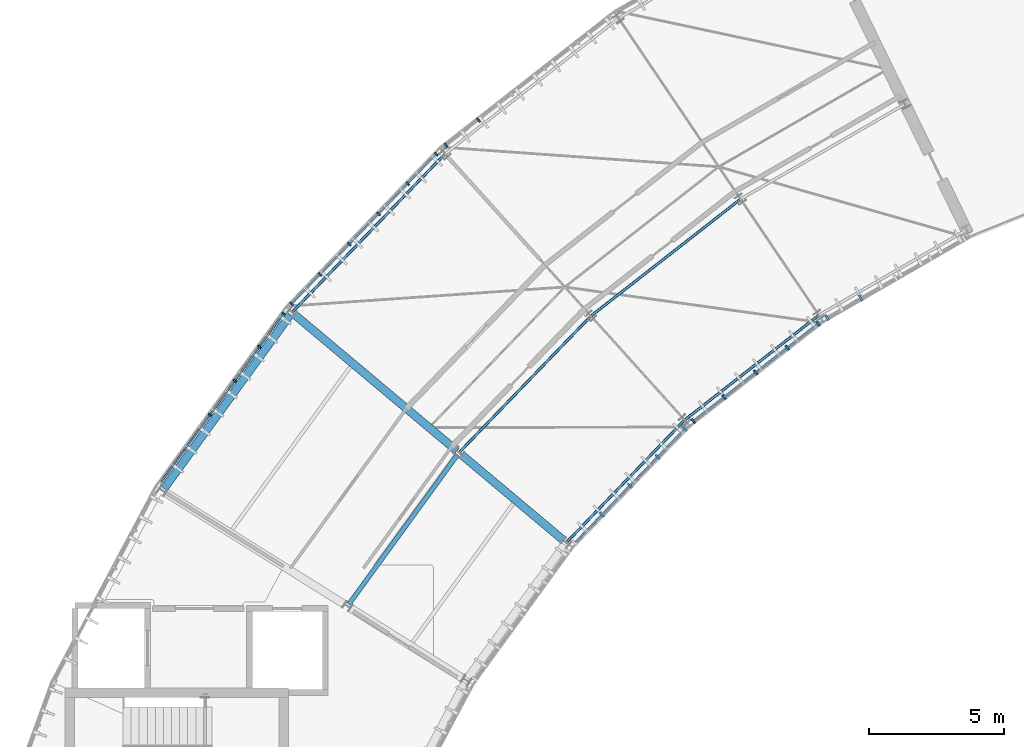
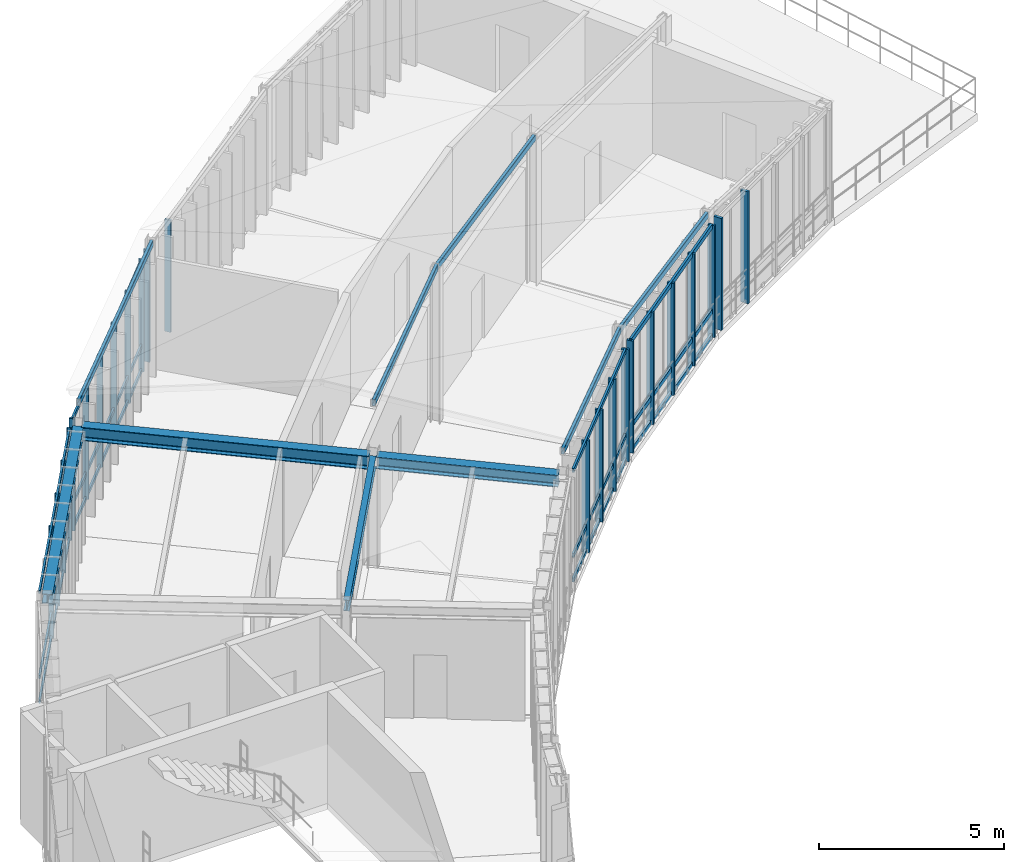
# One storey, part 7 of 25: 40 members, 4 beams, 6 elements without a shape of their own.
"""IFC4 building model written with IfcOpenShell, lengths in metres."""

from ifc_helpers import new_model, si_unit, direction, frame, origin, origin_2d, place, context, subcontext, project, spatial, rectangle, hollow_rectangle, i_section, extrude, material, layer, layer_set, material_profile, profile_set, type_object, element, aggregate, save


model = new_model("IFC4")

# Units and contexts
model_context = context("Model", 3, precision=1e-05, world=origin(), true_north=direction((0.0, 1.0)))
body_context = subcontext(model_context, "Body", "Model", "MODEL_VIEW")
ifc_project = project(units=[si_unit("LENGTHUNIT", "METRE"), si_unit("AREAUNIT", "SQUARE_METRE"), si_unit("VOLUMEUNIT", "CUBIC_METRE"), si_unit("PLANEANGLEUNIT", "RADIAN"), si_unit("MASSUNIT", "GRAM", prefix="KILO"), si_unit("THERMODYNAMICTEMPERATUREUNIT", "KELVIN"), si_unit("POWERUNIT", "WATT")], contexts=[model_context])

# Site, building, storey
site_placement = place(None, origin())
site = spatial("IfcSite", under=ifc_project, at=site_placement, CompositionType="ELEMENT")
building_placement = place(site_placement, origin())
building = spatial("IfcBuilding", under=site, at=building_placement, Name="Solvatero Civic Police Headquarters", CompositionType="ELEMENT")
storey_placement = place(building_placement, frame((0.0, 0.0, 25.5)))
storey = spatial("IfcBuildingStorey", under=building, at=storey_placement, Name="L06", CompositionType="ELEMENT", Elevation=25.5)

# Beams
ifc_material_1 = material(Name="Steel S355", Category="steel")
ifc_material_profile_1 = material_profile(ifc_material_1, i_section(OverallWidth=0.300048828125, OverallDepth=0.31005859375, WebThickness=0.009033203125, FlangeThickness=0.015380859375, FilletRadius=0.027099609375, at=origin_2d()), Name="HEA 320")
ifc_profile_set_1 = profile_set([ifc_material_profile_1], Name="Steel S355")
beam_type_1 = type_object("IfcBeamType", Name="BM-ST-HEA320", PredefinedType="SPANDREL", material=ifc_profile_set_1)
beam_1_placement = place(storey_placement, frame((49.0126953125, 63.61865234375, 3.544921875), z_axis=(-0.587775184232, -0.809024309153, 0.0), x_axis=(0.809024309153, -0.587775184232, 0.0)))
element("IfcBeam", 1, at=beam_1_placement, inside=storey, type_object=beam_type_1, Name="Perimeter / radial spandrel beam BM-R2-L06-ARC-COUT-B08", PredefinedType="SPANDREL", context=body_context, shape_type="SweptSolid", body=[
    extrude(i_section(OverallWidth=0.300048828125, OverallDepth=0.31005859375, WebThickness=0.009033203125, FlangeThickness=0.015380859375, FilletRadius=0.027099609375, at=origin_2d()), origin(), (0.0, 0.0, 1.0), 7.982421875),
])
ifc_material_profile_2 = material_profile(ifc_material_1, i_section(OverallWidth=0.300048828125, OverallDepth=0.389892578125, WebThickness=0.010986328125, FlangeThickness=0.01904296875, FilletRadius=0.027099609375, at=origin_2d()), Name="HEA 400")
ifc_profile_set_2 = profile_set([ifc_material_profile_2], Name="Steel S355")
beam_type_2 = type_object("IfcBeamType", Name="BM-ST-HEA400", PredefinedType="BEAM", material=ifc_profile_set_2)
beam_2_placement = place(storey_placement, frame((59.183349609375, 55.214599609375, 3.5048828125), z_axis=(-0.766035646312, 0.642798093167, 0.0), x_axis=(-0.642798093167, -0.766035646312, 0.0)))
element("IfcBeam", 2, at=beam_2_placement, inside=storey, type_object=beam_type_2, Name="Primary girder BM-R2-L06-ARC-RAD1-S07", PredefinedType="BEAM", context=body_context, shape_type="SweptSolid", body=[
    extrude(i_section(OverallWidth=0.300048828125, OverallDepth=0.389892578125, WebThickness=0.010986328125, FlangeThickness=0.01904296875, FilletRadius=0.027099609375, at=origin_2d()), origin(), (0.0, 0.0, 1.0), 5.000244140625),
])
ifc_material_profile_3 = material_profile(ifc_material_1, i_section(OverallWidth=0.300048828125, OverallDepth=0.43994140625, WebThickness=0.011474609375, FlangeThickness=0.02099609375, FilletRadius=0.027099609375, at=origin_2d()), Name="HEA 450")
ifc_profile_set_3 = profile_set([ifc_material_profile_3], Name="Steel S355")
beam_type_3 = type_object("IfcBeamType", Name="BM-ST-HEA450", PredefinedType="BEAM", material=ifc_profile_set_3)
beam_3_placement = place(storey_placement, frame((55.199951171875, 58.55712890625, 3.47998046875), z_axis=(-0.766038381489, 0.642794833587, 0.0), x_axis=(-0.642794833587, -0.766038381489, 0.0)))
element("IfcBeam", 3, at=beam_3_placement, inside=storey, type_object=beam_type_3, Name="Primary girder BM-R2-L06-ARC-RAD2-S07", PredefinedType="BEAM", context=body_context, shape_type="SweptSolid", body=[
    extrude(i_section(OverallWidth=0.300048828125, OverallDepth=0.43994140625, WebThickness=0.011474609375, FlangeThickness=0.02099609375, FilletRadius=0.027099609375, at=origin_2d()), origin(), (0.0, 0.0, 1.0), 7.900146484375),
])
ifc_material_profile_4 = material_profile(ifc_material_1, i_section(OverallWidth=0.169921875, OverallDepth=0.360107421875, WebThickness=0.008056640625, FlangeThickness=0.0126953125, FilletRadius=0.01806640625, at=origin_2d()), Name="IPE 360")
ifc_profile_set_4 = profile_set([ifc_material_profile_4], Name="Steel S355")
beam_type_4 = type_object("IfcBeamType", Name="BM-ST-IPE360", PredefinedType="BEAM", material=ifc_profile_set_4)
beam_4_placement = place(storey_placement, frame((55.2177734375, 58.412109375, 3.52001953125), z_axis=(-0.587794552249, -0.809010237479, 0.0), x_axis=(0.809010237479, -0.587794552249, 0.0)))
element("IfcBeam", 4, at=beam_4_placement, inside=storey, type_object=beam_type_4, Name="Composite floor beam BM-R2-L06-ARC-CMID-B08", PredefinedType="BEAM", context=body_context, shape_type="SweptSolid", body=[
    extrude(i_section(OverallWidth=0.169921875, OverallDepth=0.360107421875, WebThickness=0.008056640625, FlangeThickness=0.0126953125, FilletRadius=0.01806640625, at=origin_2d()), origin(), (0.0, 0.0, 1.0), 6.8525390625),
])

# Curtain wall, members
ifc_material_2 = material(Name="Anodized Bronze Aluminium", Category="aluminium")
ifc_layer_1 = layer(ifc_material_2, 0.179931640625)
ifc_layer_set_1 = layer_set([ifc_layer_1], Name="Anodized Bronze Aluminium")
curtain_wall_type_1 = type_object("IfcCurtainWallType", Name="CW-ARC-IN", PredefinedType="USERDEFINED", material=ifc_layer_set_1)
curtain_wall_1_placement = place(storey_placement, origin())
curtain_wall_1 = element("IfcCurtainWall", 5, at=curtain_wall_1_placement, inside=storey, type_object=curtain_wall_type_1, Name="Curtain Wall CW-R2-L06-ARC-IN-B05", ObjectType="UNITISED", PredefinedType="USERDEFINED")
ifc_material_profile_5 = material_profile(ifc_material_2, rectangle(XDim=0.080078125, YDim=0.239990234375, at=origin_2d()), Name="ALU MULLION 80x240")
ifc_profile_set_5 = profile_set([ifc_material_profile_5], Name="Anodized Bronze Aluminium")
member_type_1 = type_object("IfcMemberType", Name="CWM-140x60", PredefinedType="MULLION", material=ifc_profile_set_5)
member_1_placement = place(storey_placement, frame((70.200927734375, 64.23291015625, 0.0), z_axis=(0.0, 0.0, 1.0), x_axis=(-0.866025403784, -0.5, 0.0)))
member_1 = element("IfcMember", 6, at=member_1_placement, type_object=member_type_1, Name="CW-R2-L06-ARC-IN-B05 Mullion 4", PredefinedType="MULLION", context=body_context, shape_type="SweptSolid", body=[
    extrude(rectangle(XDim=0.080078125, YDim=0.239990234375, at=origin_2d()), origin(), (0.0, 0.0, 1.0), 3.699951171875),
])
member_2_placement = place(storey_placement, frame((68.94580078125, 63.50830078125, 0.0), z_axis=(0.0, 0.0, 1.0), x_axis=(-0.866025403784, -0.5, 0.0)))
member_2 = element("IfcMember", 7, at=member_2_placement, type_object=member_type_1, Name="CW-R2-L06-ARC-IN-B05 Mullion 5", PredefinedType="MULLION", context=body_context, shape_type="SweptSolid", body=[
    extrude(rectangle(XDim=0.080078125, YDim=0.239990234375, at=origin_2d()), origin(), (0.0, 0.0, 1.0), 3.699951171875),
])
aggregate(curtain_wall_1, [member_1, member_2])

ifc_layer_2 = layer(ifc_material_2, 0.179931640625)
ifc_layer_set_2 = layer_set([ifc_layer_2], Name="Anodized Bronze Aluminium")
curtain_wall_type_2 = type_object("IfcCurtainWallType", Name="CW-ARC-OUT", PredefinedType="USERDEFINED", material=ifc_layer_set_2)
curtain_wall_2_placement = place(storey_placement, origin())
curtain_wall_2 = element("IfcCurtainWall", 8, at=curtain_wall_2_placement, inside=storey, type_object=curtain_wall_type_2, Name="Curtain Wall CW-R2-L06-ARC-OUT-B08", ObjectType="UNITISED", PredefinedType="USERDEFINED")
ifc_material_profile_6 = material_profile(ifc_material_2, rectangle(XDim=0.06005859375, YDim=0.139892578125, at=origin_2d()), Name="ALU MULLION 60x140")
ifc_profile_set_6 = profile_set([ifc_material_profile_6], Name="Anodized Bronze Aluminium")
member_type_2 = type_object("IfcMemberType", Name="CWM-160x65", PredefinedType="MULLION", material=ifc_profile_set_6)
member_3_placement = place(storey_placement, frame((48.756591796875, 63.65625, 0.0), z_axis=(0.0, 0.0, 1.0), x_axis=(-0.587785252292, -0.809016994375, 0.0)))
member_3 = element("IfcMember", 9, at=member_3_placement, type_object=member_type_2, Name="CW-R2-L06-ARC-OUT-B08 Mullion 1", PredefinedType="MULLION", context=body_context, shape_type="SweptSolid", body=[
    extrude(rectangle(XDim=0.06005859375, YDim=0.139892578125, at=origin_2d()), origin(), (0.0, 0.0, 1.0), 3.699951171875),
])
member_4_placement = place(storey_placement, frame((47.86181640625, 62.424560546875, 0.0), z_axis=(0.0, 0.0, 1.0), x_axis=(-0.587785252292, -0.809016994375, 0.0)))
member_4 = element("IfcMember", 10, at=member_4_placement, type_object=member_type_2, Name="CW-R2-L06-ARC-OUT-B08 Mullion 2", PredefinedType="MULLION", context=body_context, shape_type="SweptSolid", body=[
    extrude(rectangle(XDim=0.06005859375, YDim=0.139892578125, at=origin_2d()), origin(), (0.0, 0.0, 1.0), 3.699951171875),
])
member_5_placement = place(storey_placement, frame((46.943359375, 61.160400390625, 0.0), z_axis=(0.0, 0.0, 1.0), x_axis=(-0.587785252292, -0.809016994375, 0.0)))
member_5 = element("IfcMember", 11, at=member_5_placement, type_object=member_type_2, Name="CW-R2-L06-ARC-OUT-B08 Mullion 3", PredefinedType="MULLION", context=body_context, shape_type="SweptSolid", body=[
    extrude(rectangle(XDim=0.06005859375, YDim=0.139892578125, at=origin_2d()), origin(), (0.0, 0.0, 1.0), 3.699951171875),
])
member_6_placement = place(storey_placement, frame((46.02490234375, 59.896484375, 0.0), z_axis=(0.0, 0.0, 1.0), x_axis=(-0.587785252292, -0.809016994375, 0.0)))
member_6 = element("IfcMember", 12, at=member_6_placement, type_object=member_type_2, Name="CW-R2-L06-ARC-OUT-B08 Mullion 4", PredefinedType="MULLION", context=body_context, shape_type="SweptSolid", body=[
    extrude(rectangle(XDim=0.06005859375, YDim=0.139892578125, at=origin_2d()), origin(), (0.0, 0.0, 1.0), 3.699951171875),
])

curtain_wall_3_placement = place(storey_placement, origin())
curtain_wall_3 = element("IfcCurtainWall", 13, at=curtain_wall_3_placement, inside=storey, type_object=curtain_wall_type_2, Name="Curtain Wall CW-R2-L06-ARC-OUT-B07", ObjectType="UNITISED", PredefinedType="USERDEFINED")
ifc_material_profile_7 = material_profile(ifc_material_2, rectangle(XDim=0.06005859375, YDim=0.159912109375, at=origin_2d()), Name="ALU MULLION 60x160")
ifc_profile_set_7 = profile_set([ifc_material_profile_7], Name="Anodized Bronze Aluminium")
member_type_3 = type_object("IfcMemberType", Name="CWM-180x70", PredefinedType="MULLION", material=ifc_profile_set_7)
member_7_placement = place(storey_placement, frame((54.4306640625, 69.579345703125, 0.0), z_axis=(0.0, 0.0, 1.0), x_axis=(-0.694658370459, -0.719339800339, 0.0)))
member_7 = element("IfcMember", 14, at=member_7_placement, type_object=member_type_3, Name="CW-R2-L06-ARC-OUT-B07 Mullion 1", PredefinedType="MULLION", context=body_context, shape_type="SweptSolid", body=[
    extrude(rectangle(XDim=0.06005859375, YDim=0.159912109375, at=origin_2d()), origin(), (0.0, 0.0, 1.0), 3.699951171875),
])
member_8_placement = place(storey_placement, frame((53.373046875, 68.484130859375, 0.0), z_axis=(0.0, 0.0, 1.0), x_axis=(-0.694658370459, -0.719339800339, 0.0)))
member_8 = element("IfcMember", 15, at=member_8_placement, type_object=member_type_3, Name="CW-R2-L06-ARC-OUT-B07 Mullion 2", PredefinedType="MULLION", context=body_context, shape_type="SweptSolid", body=[
    extrude(rectangle(XDim=0.06005859375, YDim=0.159912109375, at=origin_2d()), origin(), (0.0, 0.0, 1.0), 3.699951171875),
])
member_9_placement = place(storey_placement, frame((52.28759765625, 67.360107421875, 0.0), z_axis=(0.0, 0.0, 1.0), x_axis=(-0.694658370459, -0.719339800339, 0.0)))
member_9 = element("IfcMember", 16, at=member_9_placement, type_object=member_type_3, Name="CW-R2-L06-ARC-OUT-B07 Mullion 3", PredefinedType="MULLION", context=body_context, shape_type="SweptSolid", body=[
    extrude(rectangle(XDim=0.06005859375, YDim=0.159912109375, at=origin_2d()), origin(), (0.0, 0.0, 1.0), 3.699951171875),
])
member_10_placement = place(storey_placement, frame((51.202392578125, 66.236328125, 0.0), z_axis=(0.0, 0.0, 1.0), x_axis=(-0.694658370459, -0.719339800339, 0.0)))
member_10 = element("IfcMember", 17, at=member_10_placement, type_object=member_type_3, Name="CW-R2-L06-ARC-OUT-B07 Mullion 4", PredefinedType="MULLION", context=body_context, shape_type="SweptSolid", body=[
    extrude(rectangle(XDim=0.06005859375, YDim=0.159912109375, at=origin_2d()), origin(), (0.0, 0.0, 1.0), 3.699951171875),
])
member_11_placement = place(storey_placement, frame((50.116943359375, 65.1123046875, 0.0), z_axis=(0.0, 0.0, 1.0), x_axis=(-0.694658370459, -0.719339800339, 0.0)))
member_11 = element("IfcMember", 18, at=member_11_placement, type_object=member_type_3, Name="CW-R2-L06-ARC-OUT-B07 Mullion 5", PredefinedType="MULLION", context=body_context, shape_type="SweptSolid", body=[
    extrude(rectangle(XDim=0.06005859375, YDim=0.159912109375, at=origin_2d()), origin(), (0.0, 0.0, 1.0), 3.699951171875),
])
member_12_placement = place(storey_placement, frame((49.059326171875, 64.01708984375, 0.0), z_axis=(0.0, 0.0, 1.0), x_axis=(-0.694658370459, -0.719339800339, 0.0)))
member_12 = element("IfcMember", 19, at=member_12_placement, type_object=member_type_3, Name="CW-R2-L06-ARC-OUT-B07 Mullion 6", PredefinedType="MULLION", context=body_context, shape_type="SweptSolid", body=[
    extrude(rectangle(XDim=0.06005859375, YDim=0.159912109375, at=origin_2d()), origin(), (0.0, 0.0, 1.0), 3.699951171875),
])

curtain_wall_4_placement = place(storey_placement, origin())
curtain_wall_4 = element("IfcCurtainWall", 20, at=curtain_wall_4_placement, inside=storey, type_object=curtain_wall_type_2, Name="Curtain Wall CW-R2-L06-ARC-OUT-B06", ObjectType="UNITISED", PredefinedType="USERDEFINED")
ifc_material_profile_8 = material_profile(ifc_material_2, rectangle(XDim=0.06494140625, YDim=0.179931640625, at=origin_2d()), Name="ALU MULLION 65x180")
ifc_profile_set_8 = profile_set([ifc_material_profile_8], Name="Anodized Bronze Aluminium")
member_type_4 = type_object("IfcMemberType", Name="CWM-200x75", PredefinedType="MULLION", material=ifc_profile_set_8)
member_13_placement = place(storey_placement, frame((55.9951171875, 70.84521484375, 0.0), z_axis=(0.0, 0.0, 1.0), x_axis=(-0.788010753607, -0.615661475326, 0.0)))
member_13 = element("IfcMember", 21, at=member_13_placement, type_object=member_type_4, Name="CW-R2-L06-ARC-OUT-B06 Mullion 5", PredefinedType="MULLION", context=body_context, shape_type="SweptSolid", body=[
    extrude(rectangle(XDim=0.06494140625, YDim=0.179931640625, at=origin_2d()), origin(), (0.0, 0.0, 1.0), 3.699951171875),
])
member_14_placement = place(storey_placement, frame((54.79541015625, 69.90771484375, 0.0), z_axis=(0.0, 0.0, 1.0), x_axis=(-0.788010753607, -0.615661475326, 0.0)))
member_14 = element("IfcMember", 22, at=member_14_placement, type_object=member_type_4, Name="CW-R2-L06-ARC-OUT-B06 Mullion 6", PredefinedType="MULLION", context=body_context, shape_type="SweptSolid", body=[
    extrude(rectangle(XDim=0.06494140625, YDim=0.179931640625, at=origin_2d()), origin(), (0.0, 0.0, 1.0), 3.699951171875),
])
aggregate(curtain_wall_4, [member_13, member_14])

curtain_wall_5_placement = place(storey_placement, origin())
curtain_wall_5 = element("IfcCurtainWall", 23, at=curtain_wall_5_placement, inside=storey, type_object=curtain_wall_type_1, Name="Curtain Wall CW-R2-L06-ARC-IN-B06", ObjectType="UNITISED", PredefinedType="USERDEFINED")
ifc_material_profile_9 = material_profile(ifc_material_2, rectangle(XDim=0.070068359375, YDim=0.199951171875, at=origin_2d()), Name="ALU MULLION 70x200")
ifc_profile_set_9 = profile_set([ifc_material_profile_9], Name="Anodized Bronze Aluminium")
member_type_5 = type_object("IfcMemberType", Name="CWM-220x80", PredefinedType="MULLION", material=ifc_profile_set_9)
member_15_placement = place(storey_placement, frame((68.6083984375, 63.28076171875, 0.0), z_axis=(0.0, 0.0, 1.0), x_axis=(-0.788010753607, -0.615661475326, 0.0)))
member_15 = element("IfcMember", 24, at=member_15_placement, type_object=member_type_5, Name="CW-R2-L06-ARC-IN-B06 Mullion 1", PredefinedType="MULLION", context=body_context, shape_type="SweptSolid", body=[
    extrude(rectangle(XDim=0.070068359375, YDim=0.199951171875, at=origin_2d()), origin(), (0.0, 0.0, 1.0), 3.699951171875),
])
member_16_placement = place(storey_placement, frame((67.466552734375, 62.388427734375, 0.0), z_axis=(0.0, 0.0, 1.0), x_axis=(-0.788010753607, -0.615661475326, 0.0)))
member_16 = element("IfcMember", 25, at=member_16_placement, type_object=member_type_5, Name="CW-R2-L06-ARC-IN-B06 Mullion 2", PredefinedType="MULLION", context=body_context, shape_type="SweptSolid", body=[
    extrude(rectangle(XDim=0.070068359375, YDim=0.199951171875, at=origin_2d()), origin(), (0.0, 0.0, 1.0), 3.699951171875),
])
member_17_placement = place(storey_placement, frame((66.29296875, 61.471435546875, 0.0), z_axis=(0.0, 0.0, 1.0), x_axis=(-0.788010753607, -0.615661475326, 0.0)))
member_17 = element("IfcMember", 26, at=member_17_placement, type_object=member_type_5, Name="CW-R2-L06-ARC-IN-B06 Mullion 3", PredefinedType="MULLION", context=body_context, shape_type="SweptSolid", body=[
    extrude(rectangle(XDim=0.070068359375, YDim=0.199951171875, at=origin_2d()), origin(), (0.0, 0.0, 1.0), 3.699951171875),
])
member_18_placement = place(storey_placement, frame((65.119384765625, 60.5546875, 0.0), z_axis=(0.0, 0.0, 1.0), x_axis=(-0.788010753607, -0.615661475326, 0.0)))
member_18 = element("IfcMember", 27, at=member_18_placement, type_object=member_type_5, Name="CW-R2-L06-ARC-IN-B06 Mullion 4", PredefinedType="MULLION", context=body_context, shape_type="SweptSolid", body=[
    extrude(rectangle(XDim=0.070068359375, YDim=0.199951171875, at=origin_2d()), origin(), (0.0, 0.0, 1.0), 3.699951171875),
])
member_19_placement = place(storey_placement, frame((63.977294921875, 59.662353515625, 0.0), z_axis=(0.0, 0.0, 1.0), x_axis=(-0.788010753607, -0.615661475326, 0.0)))
member_19 = element("IfcMember", 28, at=member_19_placement, type_object=member_type_5, Name="CW-R2-L06-ARC-IN-B06 Mullion 5", PredefinedType="MULLION", context=body_context, shape_type="SweptSolid", body=[
    extrude(rectangle(XDim=0.070068359375, YDim=0.199951171875, at=origin_2d()), origin(), (0.0, 0.0, 1.0), 3.699951171875),
])

curtain_wall_6_placement = place(storey_placement, origin())
curtain_wall_6 = element("IfcCurtainWall", 29, at=curtain_wall_6_placement, inside=storey, type_object=curtain_wall_type_1, Name="Curtain Wall CW-R2-L06-ARC-IN-B07", ObjectType="UNITISED", PredefinedType="USERDEFINED")
ifc_material_profile_10 = material_profile(ifc_material_2, rectangle(XDim=0.074951171875, YDim=0.219970703125, at=origin_2d()), Name="ALU MULLION 75x220")
ifc_profile_set_10 = profile_set([ifc_material_profile_10], Name="Anodized Bronze Aluminium")
member_type_6 = type_object("IfcMemberType", Name="CWM-250x85", PredefinedType="MULLION", material=ifc_profile_set_10)
member_20_placement = place(storey_placement, frame((63.66015625, 59.376708984375, 0.0), z_axis=(0.0, 0.0, 1.0), x_axis=(-0.694645815505, -0.719351924305, 0.0)))
member_20 = element("IfcMember", 30, at=member_20_placement, type_object=member_type_6, Name="CW-R2-L06-ARC-IN-B07 Mullion 1", PredefinedType="MULLION", context=body_context, shape_type="SweptSolid", body=[
    extrude(rectangle(XDim=0.074951171875, YDim=0.219970703125, at=origin_2d()), origin(), (0.0, 0.0, 1.0), 3.699951171875),
])
member_21_placement = place(storey_placement, frame((62.6533203125, 58.334228515625, 0.0), z_axis=(0.0, 0.0, 1.0), x_axis=(-0.694645815505, -0.719351924305, 0.0)))
member_21 = element("IfcMember", 31, at=member_21_placement, type_object=member_type_6, Name="CW-R2-L06-ARC-IN-B07 Mullion 2", PredefinedType="MULLION", context=body_context, shape_type="SweptSolid", body=[
    extrude(rectangle(XDim=0.074951171875, YDim=0.219970703125, at=origin_2d()), origin(), (0.0, 0.0, 1.0), 3.699951171875),
])
member_22_placement = place(storey_placement, frame((61.618896484375, 57.262939453125, 0.0), z_axis=(0.0, 0.0, 1.0), x_axis=(-0.694645815505, -0.719351924305, 0.0)))
member_22 = element("IfcMember", 32, at=member_22_placement, type_object=member_type_6, Name="CW-R2-L06-ARC-IN-B07 Mullion 3", PredefinedType="MULLION", context=body_context, shape_type="SweptSolid", body=[
    extrude(rectangle(XDim=0.074951171875, YDim=0.219970703125, at=origin_2d()), origin(), (0.0, 0.0, 1.0), 3.699951171875),
])
member_23_placement = place(storey_placement, frame((60.58447265625, 56.19189453125, 0.0), z_axis=(0.0, 0.0, 1.0), x_axis=(-0.694645815505, -0.719351924305, 0.0)))
member_23 = element("IfcMember", 33, at=member_23_placement, type_object=member_type_6, Name="CW-R2-L06-ARC-IN-B07 Mullion 4", PredefinedType="MULLION", context=body_context, shape_type="SweptSolid", body=[
    extrude(rectangle(XDim=0.074951171875, YDim=0.219970703125, at=origin_2d()), origin(), (0.0, 0.0, 1.0), 3.699951171875),
])

# Member
ifc_material_profile_11 = material_profile(ifc_material_2, rectangle(XDim=0.070068359375, YDim=0.159912109375, at=origin_2d()), Name="ALU TRANSOM 70x160")
ifc_profile_set_11 = profile_set([ifc_material_profile_11], Name="Anodized Bronze Aluminium")
member_type_7 = type_object("IfcMemberType", Name="CWT-120x55", PredefinedType="USERDEFINED", material=ifc_profile_set_11)
member_24_placement = place(storey_placement, frame((68.6005859375, 63.2744140625, 0.0400390625), z_axis=(-0.788035116891, -0.615630290472, 0.0), x_axis=(0.615630290472, -0.788035116891, 0.0)))
member_24 = element("IfcMember", 34, at=member_24_placement, type_object=member_type_7, Name="CW-R2-L06-ARC-IN-B06 Transom 1", ObjectType="TRANSOM", PredefinedType="USERDEFINED", context=body_context, shape_type="SweptSolid", body=[
    extrude(rectangle(XDim=0.070068359375, YDim=0.159912109375, at=origin_2d()), origin(), (0.0, 0.0, 1.0), 5.85693359375),
])

member_25_placement = place(storey_placement, frame((68.6005859375, 63.2744140625, 0.85009765625), z_axis=(-0.788035116891, -0.615630290472, 0.0), x_axis=(0.615630290472, -0.788035116891, 0.0)))
member_25 = element("IfcMember", 35, at=member_25_placement, type_object=member_type_7, Name="CW-R2-L06-ARC-IN-B06 Transom 2", ObjectType="TRANSOM", PredefinedType="USERDEFINED", context=body_context, shape_type="SweptSolid", body=[
    extrude(rectangle(XDim=0.070068359375, YDim=0.159912109375, at=origin_2d()), origin(), (0.0, 0.0, 1.0), 5.85693359375),
])

member_26_placement = place(storey_placement, frame((68.6005859375, 63.2744140625, 3.659912109375), z_axis=(-0.788035116891, -0.615630290472, 0.0), x_axis=(0.615630290472, -0.788035116891, 0.0)))
member_26 = element("IfcMember", 36, at=member_26_placement, type_object=member_type_7, Name="CW-R2-L06-ARC-IN-B06 Transom 3", ObjectType="TRANSOM", PredefinedType="USERDEFINED", context=body_context, shape_type="SweptSolid", body=[
    extrude(rectangle(XDim=0.070068359375, YDim=0.159912109375, at=origin_2d()), origin(), (0.0, 0.0, 1.0), 5.85693359375),
])

aggregate(curtain_wall_5, [member_15, member_16, member_17, member_18, member_19, member_24, member_25, member_26])

ifc_material_profile_12 = material_profile(ifc_material_2, rectangle(XDim=0.06005859375, YDim=0.110107421875, at=origin_2d()), Name="ALU TRANSOM 60x110")
ifc_profile_set_12 = profile_set([ifc_material_profile_12], Name="Anodized Bronze Aluminium")
member_type_8 = type_object("IfcMemberType", Name="CWT-140x60", PredefinedType="USERDEFINED", material=ifc_profile_set_12)
member_27_placement = place(storey_placement, frame((48.750732421875, 63.648193359375, 0.0400390625), z_axis=(-0.587800845122, -0.809005665291, 0.0), x_axis=(0.809005665291, -0.587800845122, 0.0)))
member_27 = element("IfcMember", 37, at=member_27_placement, type_object=member_type_8, Name="CW-R2-L06-ARC-OUT-B08 Transom 1", ObjectType="TRANSOM", PredefinedType="USERDEFINED", context=body_context, shape_type="SweptSolid", body=[
    extrude(rectangle(XDim=0.06005859375, YDim=0.110107421875, at=origin_2d()), origin(), (0.0, 0.0, 1.0), 7.712646484375),
])

member_28_placement = place(storey_placement, frame((48.750732421875, 63.648193359375, 0.85009765625), z_axis=(-0.587800845122, -0.809005665291, 0.0), x_axis=(0.809005665291, -0.587800845122, 0.0)))
member_28 = element("IfcMember", 38, at=member_28_placement, type_object=member_type_8, Name="CW-R2-L06-ARC-OUT-B08 Transom 2", ObjectType="TRANSOM", PredefinedType="USERDEFINED", context=body_context, shape_type="SweptSolid", body=[
    extrude(rectangle(XDim=0.06005859375, YDim=0.110107421875, at=origin_2d()), origin(), (0.0, 0.0, 1.0), 7.712646484375),
])

member_29_placement = place(storey_placement, frame((48.750732421875, 63.648193359375, 3.659912109375), z_axis=(-0.587800845122, -0.809005665291, 0.0), x_axis=(0.809005665291, -0.587800845122, 0.0)))
member_29 = element("IfcMember", 39, at=member_29_placement, type_object=member_type_8, Name="CW-R2-L06-ARC-OUT-B08 Transom 3", ObjectType="TRANSOM", PredefinedType="USERDEFINED", context=body_context, shape_type="SweptSolid", body=[
    extrude(rectangle(XDim=0.06005859375, YDim=0.110107421875, at=origin_2d()), origin(), (0.0, 0.0, 1.0), 7.712646484375),
])

aggregate(curtain_wall_2, [member_3, member_4, member_5, member_6, member_27, member_28, member_29])

ifc_material_profile_13 = material_profile(ifc_material_2, rectangle(XDim=0.06005859375, YDim=0.125, at=origin_2d()), Name="ALU TRANSOM 60x125")
ifc_profile_set_13 = profile_set([ifc_material_profile_13], Name="Anodized Bronze Aluminium")
member_type_9 = type_object("IfcMemberType", Name="CWT-160x65", PredefinedType="USERDEFINED", material=ifc_profile_set_13)
member_30_placement = place(storey_placement, frame((54.423583984375, 69.572021484375, 0.0400390625), z_axis=(-0.694669082817, -0.71932945538, 0.0), x_axis=(0.71932945538, -0.694669082817, 0.0)))
member_30 = element("IfcMember", 40, at=member_30_placement, type_object=member_type_9, Name="CW-R2-L06-ARC-OUT-B07 Transom 1", ObjectType="TRANSOM", PredefinedType="USERDEFINED", context=body_context, shape_type="SweptSolid", body=[
    extrude(rectangle(XDim=0.06005859375, YDim=0.125, at=origin_2d()), origin(), (0.0, 0.0, 1.0), 7.712158203125),
])

member_31_placement = place(storey_placement, frame((54.423583984375, 69.572021484375, 0.85009765625), z_axis=(-0.694669082817, -0.71932945538, 0.0), x_axis=(0.71932945538, -0.694669082817, 0.0)))
member_31 = element("IfcMember", 41, at=member_31_placement, type_object=member_type_9, Name="CW-R2-L06-ARC-OUT-B07 Transom 2", ObjectType="TRANSOM", PredefinedType="USERDEFINED", context=body_context, shape_type="SweptSolid", body=[
    extrude(rectangle(XDim=0.06005859375, YDim=0.125, at=origin_2d()), origin(), (0.0, 0.0, 1.0), 7.712158203125),
])

member_32_placement = place(storey_placement, frame((54.423583984375, 69.572021484375, 3.659912109375), z_axis=(-0.694669082817, -0.71932945538, 0.0), x_axis=(0.71932945538, -0.694669082817, 0.0)))
member_32 = element("IfcMember", 42, at=member_32_placement, type_object=member_type_9, Name="CW-R2-L06-ARC-OUT-B07 Transom 3", ObjectType="TRANSOM", PredefinedType="USERDEFINED", context=body_context, shape_type="SweptSolid", body=[
    extrude(rectangle(XDim=0.06005859375, YDim=0.125, at=origin_2d()), origin(), (0.0, 0.0, 1.0), 7.712158203125),
])

aggregate(curtain_wall_3, [member_7, member_8, member_9, member_10, member_11, member_12, member_30, member_31, member_32])

ifc_material_profile_14 = material_profile(ifc_material_2, rectangle(XDim=0.06494140625, YDim=0.139892578125, at=origin_2d()), Name="ALU TRANSOM 65x140")
ifc_profile_set_14 = profile_set([ifc_material_profile_14], Name="Anodized Bronze Aluminium")
member_type_10 = type_object("IfcMemberType", Name="CWT-180x70", PredefinedType="USERDEFINED", material=ifc_profile_set_14)
member_33_placement = place(storey_placement, frame((63.6533203125, 59.369384765625, 0.0400390625), z_axis=(-0.694681547024, -0.719317418269, 0.0), x_axis=(0.719317418269, -0.694681547024, 0.0)))
member_33 = element("IfcMember", 43, at=member_33_placement, type_object=member_type_10, Name="CW-R2-L06-ARC-IN-B07 Transom 1", ObjectType="TRANSOM", PredefinedType="USERDEFINED", context=body_context, shape_type="SweptSolid", body=[
    extrude(rectangle(XDim=0.06494140625, YDim=0.139892578125, at=origin_2d()), origin(), (0.0, 0.0, 1.0), 5.856689453125),
])

member_34_placement = place(storey_placement, frame((63.6533203125, 59.369384765625, 0.85009765625), z_axis=(-0.694681547024, -0.719317418269, 0.0), x_axis=(0.719317418269, -0.694681547024, 0.0)))
member_34 = element("IfcMember", 44, at=member_34_placement, type_object=member_type_10, Name="CW-R2-L06-ARC-IN-B07 Transom 2", ObjectType="TRANSOM", PredefinedType="USERDEFINED", context=body_context, shape_type="SweptSolid", body=[
    extrude(rectangle(XDim=0.06494140625, YDim=0.139892578125, at=origin_2d()), origin(), (0.0, 0.0, 1.0), 5.856689453125),
])

member_35_placement = place(storey_placement, frame((63.6533203125, 59.369384765625, 3.659912109375), z_axis=(-0.694681547024, -0.719317418269, 0.0), x_axis=(0.719317418269, -0.694681547024, 0.0)))
member_35 = element("IfcMember", 45, at=member_35_placement, type_object=member_type_10, Name="CW-R2-L06-ARC-IN-B07 Transom 3", ObjectType="TRANSOM", PredefinedType="USERDEFINED", context=body_context, shape_type="SweptSolid", body=[
    extrude(rectangle(XDim=0.06494140625, YDim=0.139892578125, at=origin_2d()), origin(), (0.0, 0.0, 1.0), 5.856689453125),
])

aggregate(curtain_wall_6, [member_20, member_21, member_22, member_23, member_33, member_34, member_35])

# Members
ifc_material_profile_15 = material_profile(ifc_material_1, hollow_rectangle(XDim=0.10009765625, YDim=0.199951171875, WallThickness=0.008056640625, InnerFilletRadius=0.008056640625, OuterFilletRadius=0.01611328125, at=origin_2d()), Name="RHS 200x100x8.0")
ifc_profile_set_15 = profile_set([ifc_material_profile_15], Name="Steel S355")
member_type_11 = type_object("IfcMemberType", Name="MB-BR-RHS200", PredefinedType="BRACE", material=ifc_profile_set_15)
member_36_placement = place(storey_placement, frame((68.640625, 63.596923828125, 3.820068359375), z_axis=(-0.787133907791, -0.614960410283, 0.047369874286), x_axis=(0.615651529973, -0.788018523667, 0.0)))
element("IfcMember", 46, at=member_36_placement, inside=storey, type_object=member_type_11, Name="Arc Roof Purlin B6 EIN", PredefinedType="BRACE", context=body_context, shape_type="SweptSolid", body=[
    extrude(hollow_rectangle(XDim=0.10009765625, YDim=0.199951171875, WallThickness=0.008056640625, InnerFilletRadius=0.008056640625, OuterFilletRadius=0.01611328125, at=origin_2d()), origin(), (0.0, 0.0, 1.0), 6.334228515625),
])
member_37_placement = place(storey_placement, frame((65.73291015625, 67.90771484375, 4.778076171875), z_axis=(-0.78731960409, -0.615080470881, 0.04247181839), x_axis=(0.61563598064, -0.788030671574, 0.0)))
element("IfcMember", 47, at=member_37_placement, inside=storey, type_object=member_type_11, Name="Arc Roof Purlin B6 RDG", PredefinedType="BRACE", context=body_context, shape_type="SweptSolid", body=[
    extrude(hollow_rectangle(XDim=0.10009765625, YDim=0.199951171875, WallThickness=0.008056640625, InnerFilletRadius=0.008056640625, OuterFilletRadius=0.01611328125, at=origin_2d()), origin(), (0.0, 0.0, 1.0), 7.058837890625),
])
member_38_placement = place(storey_placement, frame((63.65478515625, 59.70166015625, 4.1201171875), z_axis=(-0.693852427825, -0.718559911089, 0.04733352488), x_axis=(0.719366219515, -0.69463101156, 0.0)))
element("IfcMember", 48, at=member_38_placement, inside=storey, type_object=member_type_11, Name="Arc Roof Purlin B7 EIN", PredefinedType="BRACE", context=body_context, shape_type="SweptSolid", body=[
    extrude(hollow_rectangle(XDim=0.10009765625, YDim=0.199951171875, WallThickness=0.008056640625, InnerFilletRadius=0.008056640625, OuterFilletRadius=0.01611328125, at=origin_2d()), origin(), (0.0, 0.0, 1.0), 6.333984375),
])
member_39_placement = place(storey_placement, frame((60.17529296875, 63.56591796875, 5.077880859375), z_axis=(-0.694011721547, -0.718707678147, 0.042508866473), x_axis=(0.71935791324, -0.694639613511, 0.0)))
element("IfcMember", 49, at=member_39_placement, inside=storey, type_object=member_type_11, Name="Arc Roof Purlin B7 RDG", PredefinedType="BRACE", context=body_context, shape_type="SweptSolid", body=[
    extrude(hollow_rectangle(XDim=0.10009765625, YDim=0.199951171875, WallThickness=0.008056640625, InnerFilletRadius=0.008056640625, OuterFilletRadius=0.01611328125, at=origin_2d()), origin(), (0.0, 0.0, 1.0), 7.05859375),
])
member_40_placement = place(storey_placement, frame((54.755615234375, 69.58544921875, 4.1201171875), z_axis=(-0.694195792025, -0.71885432308, 0.036615086015), x_axis=(0.719336679387, -0.694661602285, 0.0)))
element("IfcMember", 50, at=member_40_placement, inside=storey, type_object=member_type_11, Name="Arc Roof Purlin B7 EOUT", PredefinedType="BRACE", context=body_context, shape_type="SweptSolid", body=[
    extrude(hollow_rectangle(XDim=0.10009765625, YDim=0.199951171875, WallThickness=0.008056640625, InnerFilletRadius=0.008056640625, OuterFilletRadius=0.01611328125, at=origin_2d()), origin(), (0.0, 0.0, 1.0), 8.18798828125),
])

save(model, "model.ifc")
